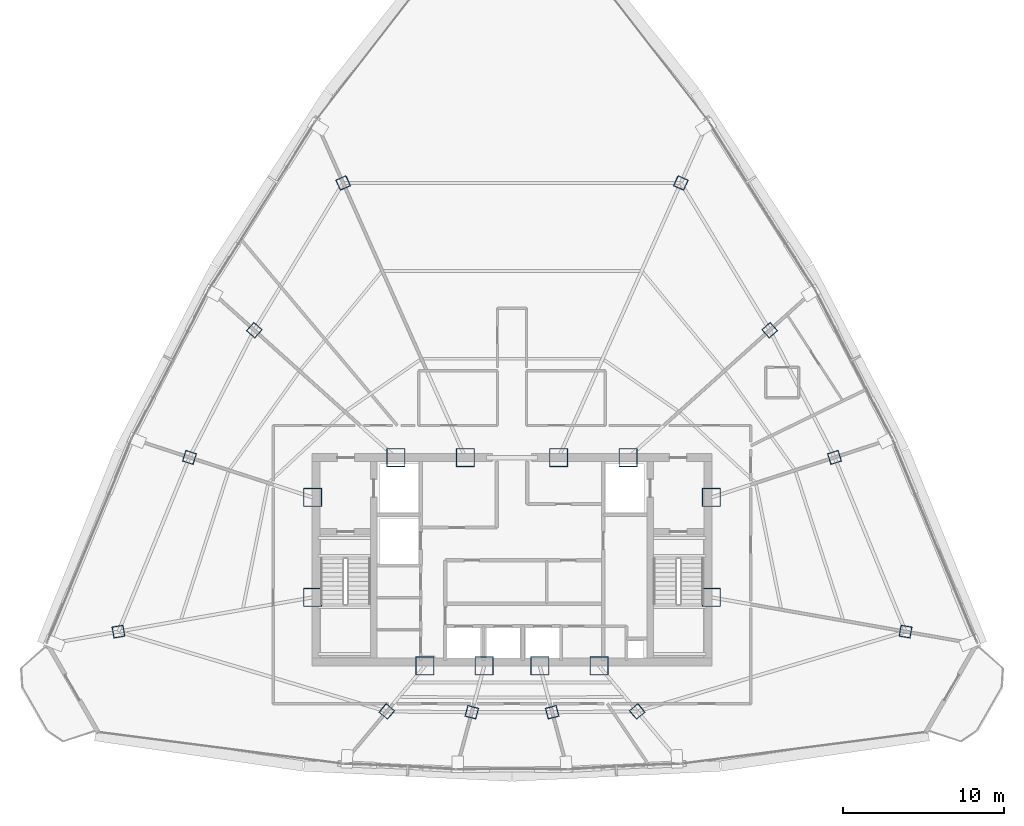
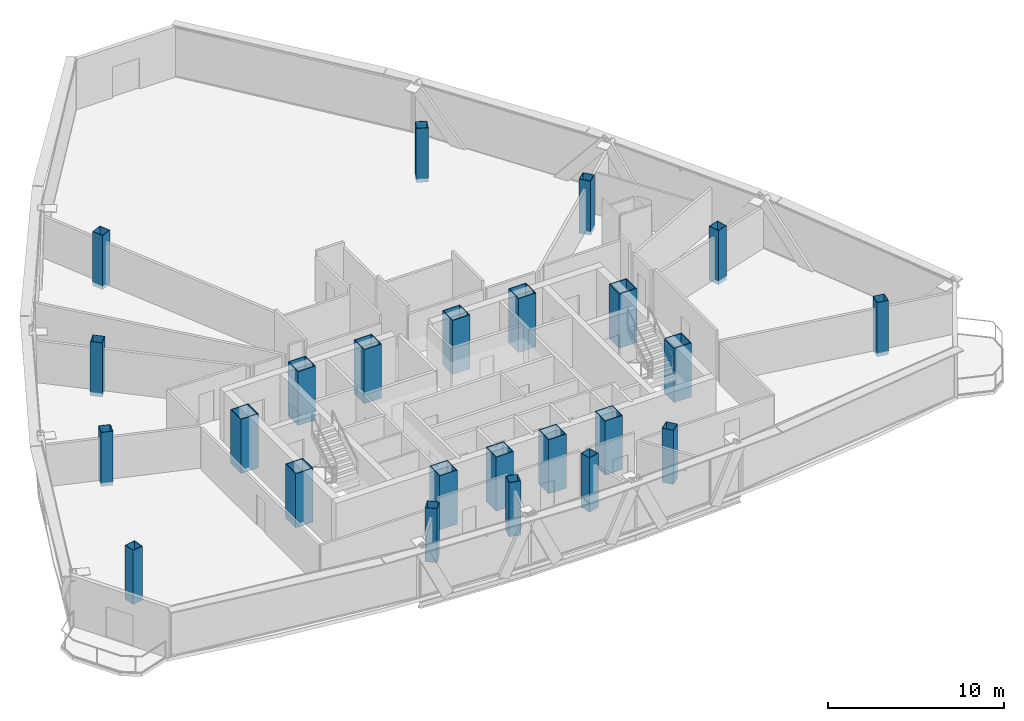
# One storey, part 1 of 34: 24 columns.
"""IFC4 building model written with IfcOpenShell, lengths in metres."""

from ifc_helpers import new_model, si_unit, direction, frame, origin, origin_2d, place, context, subcontext, project, spatial, hollow_rectangle, extrude, source, transform, mapped, material, material_profile, profile_set, type_object, element, save


model = new_model("IFC4")

# Units and contexts
model_context = context("Model", 3, precision=1e-05, world=origin(), true_north=direction((0.0, 1.0)))
body_context = subcontext(model_context, "Body", "Model", "MODEL_VIEW")
ifc_project = project(units=[si_unit("LENGTHUNIT", "METRE"), si_unit("AREAUNIT", "SQUARE_METRE"), si_unit("VOLUMEUNIT", "CUBIC_METRE"), si_unit("PLANEANGLEUNIT", "RADIAN"), si_unit("MASSUNIT", "GRAM", prefix="KILO"), si_unit("THERMODYNAMICTEMPERATUREUNIT", "KELVIN"), si_unit("POWERUNIT", "WATT")], contexts=[model_context])

# Site, building, storey
site_placement = place(None, origin())
site = spatial("IfcSite", under=ifc_project, at=site_placement, CompositionType="ELEMENT")
building_placement = place(site_placement, origin())
building = spatial("IfcBuilding", under=site, at=building_placement, Name="Yunzhuo Pagoda Commons", CompositionType="ELEMENT")
storey_placement = place(building_placement, frame((0.0, 0.0, 333.010009765625)))
storey = spatial("IfcBuildingStorey", under=building, at=storey_placement, Name="L83", CompositionType="ELEMENT", Elevation=333.010009765625)

# Columns
ifc_material_1 = material(Name="Structural steel Q420B", Category="steel")
ifc_material_profile_1 = material_profile(ifc_material_1, hollow_rectangle(XDim=1.14990234375, YDim=1.14990234375, WallThickness=0.048095703125, at=origin_2d()), Name="Structural steel Q420B")
ifc_profile_set_1 = profile_set([ifc_material_profile_1], Name="Structural steel Q420B")
column_type_1 = type_object("IfcColumnType", Name="C-COR Column BOX 1150x1150x48", PredefinedType="COLUMN", material=ifc_profile_set_1)
shared_shape_1 = source(origin(), body_context, "Body", "SweptSolid", [
    extrude(hollow_rectangle(XDim=1.14990234375, YDim=1.14990234375, WallThickness=0.048095703125, at=origin_2d()), origin(), (0.0, 0.0, 1.0), 3.75),
])
for number, where, z_axis, x_axis, name in (
    (1, (42.587890625, 27.25, -0.260009765625), (0.0, 0.0, 1.0), (1.0, 0.0, 0.0), "L83 core composite column F1C1"),
    (2, (46.27197265625, 27.25, -0.260009765625), (0.0, 0.0, 1.0), (1.0, 0.0, 0.0), "L83 core composite column F1C2"),
    (3, (49.728515625, 27.25, -0.260009765625), (0.0, 0.0, 1.0), (1.0, 0.0, 0.0), "L83 core composite column F1C3"),
    (4, (53.412109375, 27.25, -0.260009765625), (0.0, 0.0, 1.0), (1.0, 0.0, 0.0), "L83 core composite column F1C4"),
    (5, (60.39990234375, 31.513427734375, -0.260009765625), (0.0, 0.0, 1.0), (1.0, 0.0, 0.0), "L83 core composite column F2C1"),
    (6, (60.39990234375, 37.72900390625, -0.260009765625), (0.0, 0.0, 1.0), (1.0, 0.0, 0.0), "L83 core composite column F2C2"),
    (7, (55.218994140625, 40.199951171875, -0.260009765625), (0.0, 0.0, 1.0), (1.0, 0.0, 0.0), "L83 core composite column F2C3"),
    (8, (50.89404296875, 40.199951171875, -0.260009765625), (0.0, 0.0, 1.0), (1.0, 0.0, 0.0), "L83 core composite column F2C4"),
    (9, (45.10595703125, 40.199951171875, -0.260009765625), (0.0, 0.0, 1.0), (1.0, 0.0, 0.0), "L83 core composite column F3C1"),
    (10, (40.781005859375, 40.199951171875, -0.260009765625), (0.0, 0.0, 1.0), (1.0, 0.0, 0.0), "L83 core composite column F3C2"),
    (11, (35.60009765625, 37.72900390625, -0.260009765625), (0.0, 0.0, 1.0), (1.0, 0.0, 0.0), "L83 core composite column F3C3"),
    (12, (35.60009765625, 31.513427734375, -0.260009765625), (0.0, 0.0, 1.0), (1.0, 0.0, 0.0), "L83 core composite column F3C4"),
):
    element("IfcColumn", number, at=place(storey_placement, frame(where, z_axis=z_axis, x_axis=x_axis)), inside=storey, type_object=column_type_1, Name=name, PredefinedType="COLUMN", context=body_context, shape_type="MappedRepresentation", body=[
        mapped(shared_shape_1, transform((0.0, 0.0, 0.0), scale=1.0)),
    ])
ifc_material_2 = material(Name="Structural steel Q355B", Category="steel")
ifc_material_profile_2 = material_profile(ifc_material_2, hollow_rectangle(XDim=0.699951171875, YDim=0.699951171875, WallThickness=0.02587890625, at=origin_2d()), Name="Structural steel Q355B")
ifc_profile_set_2 = profile_set([ifc_material_profile_2], Name="Structural steel Q355B")
column_type_2 = type_object("IfcColumnType", Name="C-Z7 Column BOX 700x700x26", PredefinedType="COLUMN", material=ifc_profile_set_2)
shared_shape_2 = source(origin(), body_context, "Body", "SweptSolid", [
    extrude(hollow_rectangle(XDim=0.699951171875, YDim=0.699951171875, WallThickness=0.02587890625, at=origin_2d()), origin(), (0.0, 0.0, 1.0), 3.75),
])
for number, where, z_axis, x_axis, name in (
    (13, (40.214599609375, 24.421630859375, -0.260009765625), (0.0, 0.0, 1.0), (0.766044443119, -0.642787609687, 0.0), "L83 tower column F1C1"),
    (14, (45.500732421875, 24.372802734375, -0.260009765625), (0.0, 0.0, 1.0), (0.965925826289, -0.258819045103, 0.0), "L83 tower column F1C2"),
    (15, (50.499267578125, 24.372802734375, -0.260009765625), (0.0, 0.0, 1.0), (0.965925826289, 0.258819045103, 0.0), "L83 tower column F1C3"),
    (16, (55.785400390625, 24.421630859375, -0.260009765625), (0.0, 0.0, 1.0), (0.766044443119, 0.642787609687, 0.0), "L83 tower column F1C4"),
    (17, (72.47021484375, 29.38525390625, -0.260009765625), (0.0, 0.0, 1.0), (0.173648177667, 0.984807753012, 0.0), "L83 tower column F2C1"),
    (18, (68.053466796875, 40.2158203125, -0.260009765625), (0.0, 0.0, 1.0), (-0.309016994375, 0.951056516295, 0.0), "L83 tower column F2C2"),
    (19, (64.024658203125, 48.128662109375, -0.260009765625), (0.0, 0.0, 1.0), (-0.669130606359, 0.743144825477, 0.0), "L83 tower column F2C3"),
    (20, (58.498779296875, 57.281005859375, -0.260009765625), (0.0, 0.0, 1.0), (-0.913545457643, 0.406736643076, 0.0), "L83 tower column F2C4"),
    (21, (37.501220703125, 57.281005859375, -0.260009765625), (0.0, 0.0, 1.0), (-0.913545457643, -0.406736643076, 0.0), "L83 tower column F3C1"),
    (22, (31.975341796875, 48.128662109375, -0.260009765625), (0.0, 0.0, 1.0), (-0.669130606359, -0.743144825477, 0.0), "L83 tower column F3C2"),
    (23, (27.946533203125, 40.2158203125, -0.260009765625), (0.0, 0.0, 1.0), (-0.309016994375, -0.951056516295, 0.0), "L83 tower column F3C3"),
    (24, (23.52978515625, 29.38525390625, -0.260009765625), (0.0, 0.0, 1.0), (0.173648177667, -0.984807753012, 0.0), "L83 tower column F3C4"),
):
    element("IfcColumn", number, at=place(storey_placement, frame(where, z_axis=z_axis, x_axis=x_axis)), inside=storey, type_object=column_type_2, Name=name, PredefinedType="COLUMN", context=body_context, shape_type="MappedRepresentation", body=[
        mapped(shared_shape_2, transform((0.0, 0.0, 0.0), scale=1.0)),
    ])

save(model, "model.ifc")
